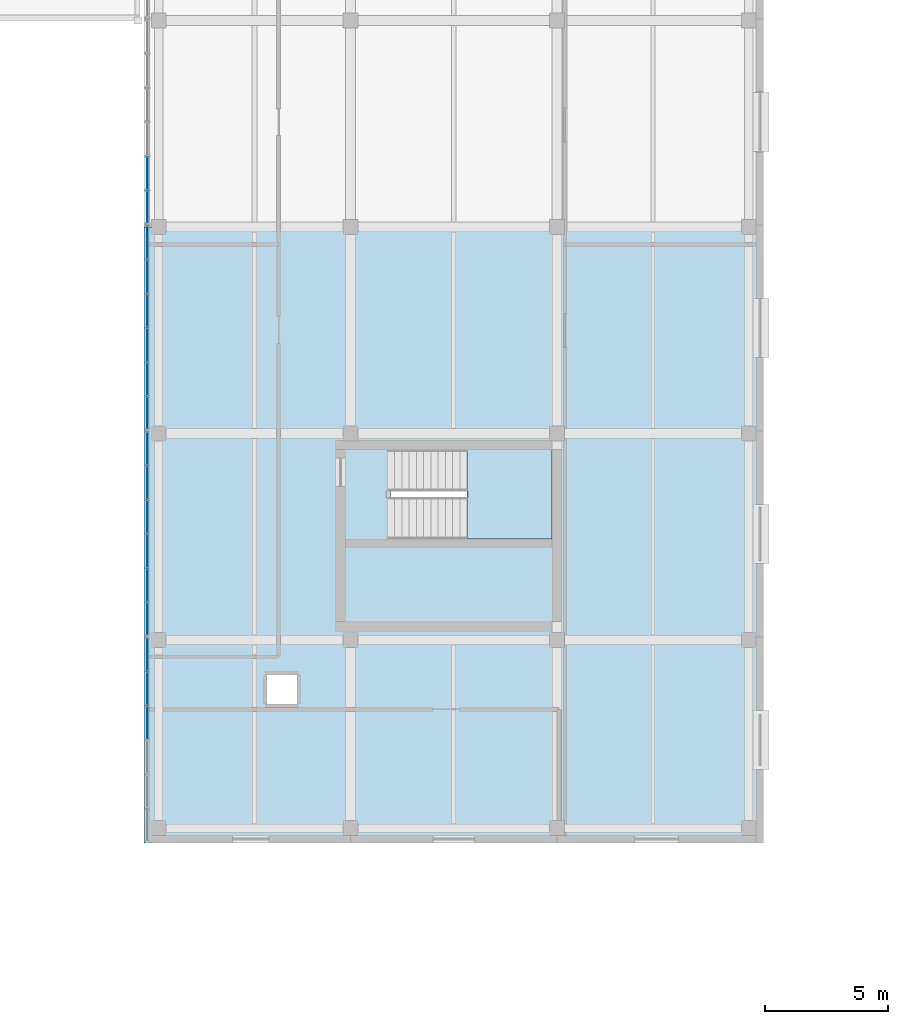
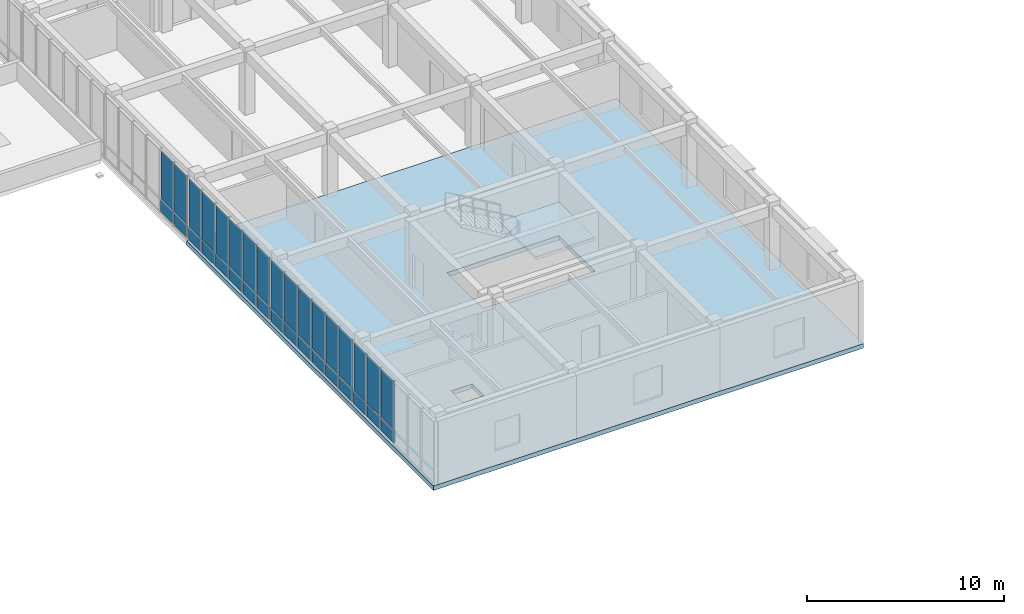
# One storey, part 88 of 123: 34 plates, 2 slabs, 5 elements without a shape of their own.
"""IFC4 building model written with IfcOpenShell, lengths in metres."""

from ifc_helpers import new_model, si_unit, direction, frame, origin, origin_2d, place, context, subcontext, project, spatial, polyline, rectangle, outline, extrude, material, layer, layer_set, type_object, element, aggregate, save


model = new_model("IFC4")

# Units and contexts
model_context = context("Model", 3, precision=1e-05, world=origin(), true_north=direction((0.0, 1.0)))
body_context = subcontext(model_context, "Body", "Model", "MODEL_VIEW")
ifc_project = project(units=[si_unit("LENGTHUNIT", "METRE"), si_unit("AREAUNIT", "SQUARE_METRE"), si_unit("VOLUMEUNIT", "CUBIC_METRE"), si_unit("PLANEANGLEUNIT", "RADIAN"), si_unit("MASSUNIT", "GRAM", prefix="KILO")], contexts=[model_context])

# Site, building, storey
site_placement = place(None, origin())
site = spatial("IfcSite", under=ifc_project, at=site_placement, CompositionType="ELEMENT")
building_placement = place(site_placement, origin())
building = spatial("IfcBuilding", under=site, at=building_placement, Name="Zayran Congress Hotel", CompositionType="ELEMENT")
storey_placement = place(building_placement, frame((0.0, 0.0, 15.0)))
storey = spatial("IfcBuildingStorey", under=building, at=storey_placement, Name="L03", CompositionType="ELEMENT", Elevation=15.0)

# Slab
ifc_material_1 = material(Name="Concrete C32/40", Category="concrete")
ifc_layer_1 = layer(ifc_material_1, 0.280029296875)
ifc_layer_set_1 = layer_set([ifc_layer_1], Name="Concrete C32/40")
slab_type_1 = type_object("IfcSlabType", Name="SL-FL-280", PredefinedType="FLOOR", material=ifc_layer_set_1)
slab_1_placement = place(storey_placement, frame((0.0, 0.0, -0.280029296875)))
element("IfcSlab", 1, at=slab_1_placement, inside=storey, type_object=slab_type_1, Name="SLB-V4-L03-024", PredefinedType="FLOOR", context=body_context, shape_type="SweptSolid", body=[
    extrude(outline(polyline([(109.199951171875, 42.550048828125), (134.39990234375, 42.550048828125), (134.39990234375, 67.60009765625), (109.199951171875, 67.60009765625), (109.199951171875, 42.550048828125)]), holes=[polyline([(119.239990234375, 54.909912109375), (125.800048828125, 54.909912109375), (125.800048828125, 58.550048828125), (119.239990234375, 58.550048828125), (119.239990234375, 54.909912109375)]), polyline([(114.199951171875, 48.199951171875), (115.419921875, 48.199951171875), (115.419921875, 49.3798828125), (114.199951171875, 49.3798828125), (114.199951171875, 48.199951171875)])]), origin(), (0.0, 0.0, 1.0), 0.280029296875),
])

# Curtain wall, plates
ifc_material_2 = material(Name="Anodised aluminium and low-E insulated glass", Category="aluminium")
ifc_layer_2 = layer(ifc_material_2, 0.179931640625)
ifc_layer_set_2 = layer_set([ifc_layer_2], Name="Anodised aluminium and low-E insulated glass")
curtain_wall_type_1 = type_object("IfcCurtainWallType", Name="CW-V4W-L03-CW-51-8374-3920", PredefinedType="USERDEFINED", material=ifc_layer_set_2)
curtain_wall_1_placement = place(storey_placement, origin())
curtain_wall_1 = element("IfcCurtainWall", 2, at=curtain_wall_1_placement, inside=storey, type_object=curtain_wall_type_1, Name="CW-V4W-L03-0", ObjectType="CURTAIN WALL", PredefinedType="USERDEFINED")
ifc_material_3 = material(Name="Insulated warm bronze aluminium spandrel panel", Category="aluminium")
ifc_layer_3 = layer(ifc_material_3, 0.06005859375)
ifc_layer_set_3 = layer_set([ifc_layer_3], Name="Insulated warm bronze aluminium spandrel panel")
plate_type_1 = type_object("IfcPlateType", Name="CWP-SP-1276-750", PredefinedType="CURTAIN_PANEL", material=ifc_layer_set_3)
plate_1_placement = place(storey_placement, frame((109.35009765625, 50.206298828125, 0.06005859375), z_axis=(0.0, 0.0, 1.0), x_axis=(0.0, 1.0, 0.0)))
plate_1 = element("IfcPlate", 3, at=plate_1_placement, type_object=plate_type_1, Name="CW-51 Spandrel Panel 1", PredefinedType="CURTAIN_PANEL", context=body_context, shape_type="SweptSolid", body=[
    extrude(rectangle(XDim=1.275634765625, YDim=0.06005859375, at=origin_2d()), origin(), (0.0, 0.0, 1.0), 0.75),
])
plate_2_placement = place(storey_placement, frame((109.35009765625, 48.83056640625, 0.06005859375), z_axis=(0.0, 0.0, 1.0), x_axis=(0.0, 1.0, 0.0)))
plate_2 = element("IfcPlate", 4, at=plate_2_placement, type_object=plate_type_1, Name="CW-51 Spandrel Panel 2", PredefinedType="CURTAIN_PANEL", context=body_context, shape_type="SweptSolid", body=[
    extrude(rectangle(XDim=1.315673828125, YDim=0.06005859375, at=origin_2d()), origin(), (0.0, 0.0, 1.0), 0.75),
])
plate_3_placement = place(storey_placement, frame((109.35009765625, 47.434814453125, 0.06005859375), z_axis=(0.0, 0.0, 1.0), x_axis=(0.0, 1.0, 0.0)))
plate_3 = element("IfcPlate", 5, at=plate_3_placement, type_object=plate_type_1, Name="CW-51 Spandrel Panel 3", PredefinedType="CURTAIN_PANEL", context=body_context, shape_type="SweptSolid", body=[
    extrude(rectangle(XDim=1.315673828125, YDim=0.06005859375, at=origin_2d()), origin(), (0.0, 0.0, 1.0), 0.75),
])

ifc_layer_4 = layer(ifc_material_2, 0.179931640625)
ifc_layer_set_4 = layer_set([ifc_layer_4], Name="Anodised aluminium and low-E insulated glass")
curtain_wall_type_2 = type_object("IfcCurtainWallType", Name="CW-V4W-L03-CW-52-8368-3920", PredefinedType="USERDEFINED", material=ifc_layer_set_4)
curtain_wall_2_placement = place(storey_placement, origin())
curtain_wall_2 = element("IfcCurtainWall", 6, at=curtain_wall_2_placement, inside=storey, type_object=curtain_wall_type_2, Name="CW-V4W-L03-1", ObjectType="CURTAIN WALL", PredefinedType="USERDEFINED")
ifc_layer_5 = layer(ifc_material_3, 0.06005859375)
ifc_layer_set_5 = layer_set([ifc_layer_5], Name="Insulated warm bronze aluminium spandrel panel")
plate_type_2 = type_object("IfcPlateType", Name="CWP-SP-1275-750", PredefinedType="CURTAIN_PANEL", material=ifc_layer_set_5)
plate_4_placement = place(storey_placement, frame((109.35009765625, 58.584716796875, 0.06005859375), z_axis=(0.0, 0.0, 1.0), x_axis=(0.0, 1.0, 0.0)))
plate_4 = element("IfcPlate", 7, at=plate_4_placement, type_object=plate_type_2, Name="CW-52 Spandrel Panel 1", PredefinedType="CURTAIN_PANEL", context=body_context, shape_type="SweptSolid", body=[
    extrude(rectangle(XDim=1.274658203125, YDim=0.06005859375, at=origin_2d()), origin(), (0.0, 0.0, 1.0), 0.75),
])
plate_5_placement = place(storey_placement, frame((109.35009765625, 57.2099609375, 0.06005859375), z_axis=(0.0, 0.0, 1.0), x_axis=(0.0, 1.0, 0.0)))
plate_5 = element("IfcPlate", 8, at=plate_5_placement, type_object=plate_type_2, Name="CW-52 Spandrel Panel 2", PredefinedType="CURTAIN_PANEL", context=body_context, shape_type="SweptSolid", body=[
    extrude(rectangle(XDim=1.314697265625, YDim=0.06005859375, at=origin_2d()), origin(), (0.0, 0.0, 1.0), 0.75),
])
plate_6_placement = place(storey_placement, frame((109.35009765625, 55.815185546875, 0.06005859375), z_axis=(0.0, 0.0, 1.0), x_axis=(0.0, 1.0, 0.0)))
plate_6 = element("IfcPlate", 9, at=plate_6_placement, type_object=plate_type_2, Name="CW-52 Spandrel Panel 3", PredefinedType="CURTAIN_PANEL", context=body_context, shape_type="SweptSolid", body=[
    extrude(rectangle(XDim=1.314697265625, YDim=0.06005859375, at=origin_2d()), origin(), (0.0, 0.0, 1.0), 0.75),
])
plate_7_placement = place(storey_placement, frame((109.35009765625, 54.420654296875, 0.06005859375), z_axis=(0.0, 0.0, 1.0), x_axis=(0.0, 1.0, 0.0)))
plate_7 = element("IfcPlate", 10, at=plate_7_placement, type_object=plate_type_2, Name="CW-52 Spandrel Panel 4", PredefinedType="CURTAIN_PANEL", context=body_context, shape_type="SweptSolid", body=[
    extrude(rectangle(XDim=1.314697265625, YDim=0.06005859375, at=origin_2d()), origin(), (0.0, 0.0, 1.0), 0.75),
])
plate_8_placement = place(storey_placement, frame((109.35009765625, 53.02587890625, 0.06005859375), z_axis=(0.0, 0.0, 1.0), x_axis=(0.0, 1.0, 0.0)))
plate_8 = element("IfcPlate", 11, at=plate_8_placement, type_object=plate_type_2, Name="CW-52 Spandrel Panel 5", PredefinedType="CURTAIN_PANEL", context=body_context, shape_type="SweptSolid", body=[
    extrude(rectangle(XDim=1.314697265625, YDim=0.06005859375, at=origin_2d()), origin(), (0.0, 0.0, 1.0), 0.75),
])
plate_9_placement = place(storey_placement, frame((109.35009765625, 51.6513671875, 0.06005859375), z_axis=(0.0, 0.0, 1.0), x_axis=(0.0, 1.0, 0.0)))
plate_9 = element("IfcPlate", 12, at=plate_9_placement, type_object=plate_type_2, Name="CW-52 Spandrel Panel 6", PredefinedType="CURTAIN_PANEL", context=body_context, shape_type="SweptSolid", body=[
    extrude(rectangle(XDim=1.274658203125, YDim=0.06005859375, at=origin_2d()), origin(), (0.0, 0.0, 1.0), 0.75),
])

ifc_layer_6 = layer(ifc_material_2, 0.179931640625)
ifc_layer_set_6 = layer_set([ifc_layer_6], Name="Anodised aluminium and low-E insulated glass")
curtain_wall_type_3 = type_object("IfcCurtainWallType", Name="CW-V4W-L03-CW-53-8369-3920", PredefinedType="USERDEFINED", material=ifc_layer_set_6)
curtain_wall_3_placement = place(storey_placement, origin())
curtain_wall_3 = element("IfcCurtainWall", 13, at=curtain_wall_3_placement, inside=storey, type_object=curtain_wall_type_3, Name="CW-V4W-L03-2", ObjectType="CURTAIN WALL", PredefinedType="USERDEFINED")
plate_10_placement = place(storey_placement, frame((109.35009765625, 66.963623046875, 0.06005859375), z_axis=(0.0, 0.0, 1.0), x_axis=(0.0, 1.0, 0.0)))
plate_10 = element("IfcPlate", 14, at=plate_10_placement, type_object=plate_type_2, Name="CW-53 Spandrel Panel 1", PredefinedType="CURTAIN_PANEL", context=body_context, shape_type="SweptSolid", body=[
    extrude(rectangle(XDim=1.27490234375, YDim=0.06005859375, at=origin_2d()), origin(), (0.0, 0.0, 1.0), 0.75),
])
plate_11_placement = place(storey_placement, frame((109.35009765625, 65.5888671875, 0.06005859375), z_axis=(0.0, 0.0, 1.0), x_axis=(0.0, 1.0, 0.0)))
plate_11 = element("IfcPlate", 15, at=plate_11_placement, type_object=plate_type_2, Name="CW-53 Spandrel Panel 2", PredefinedType="CURTAIN_PANEL", context=body_context, shape_type="SweptSolid", body=[
    extrude(rectangle(XDim=1.314697265625, YDim=0.06005859375, at=origin_2d()), origin(), (0.0, 0.0, 1.0), 0.75),
])
plate_12_placement = place(storey_placement, frame((109.35009765625, 64.19384765625, 0.06005859375), z_axis=(0.0, 0.0, 1.0), x_axis=(0.0, 1.0, 0.0)))
plate_12 = element("IfcPlate", 16, at=plate_12_placement, type_object=plate_type_2, Name="CW-53 Spandrel Panel 3", PredefinedType="CURTAIN_PANEL", context=body_context, shape_type="SweptSolid", body=[
    extrude(rectangle(XDim=1.314697265625, YDim=0.06005859375, at=origin_2d()), origin(), (0.0, 0.0, 1.0), 0.75),
])
plate_13_placement = place(storey_placement, frame((109.35009765625, 62.799072265625, 0.06005859375), z_axis=(0.0, 0.0, 1.0), x_axis=(0.0, 1.0, 0.0)))
plate_13 = element("IfcPlate", 17, at=plate_13_placement, type_object=plate_type_2, Name="CW-53 Spandrel Panel 4", PredefinedType="CURTAIN_PANEL", context=body_context, shape_type="SweptSolid", body=[
    extrude(rectangle(XDim=1.314697265625, YDim=0.06005859375, at=origin_2d()), origin(), (0.0, 0.0, 1.0), 0.75),
])
plate_14_placement = place(storey_placement, frame((109.35009765625, 61.404296875, 0.06005859375), z_axis=(0.0, 0.0, 1.0), x_axis=(0.0, 1.0, 0.0)))
plate_14 = element("IfcPlate", 18, at=plate_14_placement, type_object=plate_type_2, Name="CW-53 Spandrel Panel 5", PredefinedType="CURTAIN_PANEL", context=body_context, shape_type="SweptSolid", body=[
    extrude(rectangle(XDim=1.314697265625, YDim=0.06005859375, at=origin_2d()), origin(), (0.0, 0.0, 1.0), 0.75),
])
plate_15_placement = place(storey_placement, frame((109.35009765625, 60.029296875, 0.06005859375), z_axis=(0.0, 0.0, 1.0), x_axis=(0.0, 1.0, 0.0)))
plate_15 = element("IfcPlate", 19, at=plate_15_placement, type_object=plate_type_2, Name="CW-53 Spandrel Panel 6", PredefinedType="CURTAIN_PANEL", context=body_context, shape_type="SweptSolid", body=[
    extrude(rectangle(XDim=1.27490234375, YDim=0.06005859375, at=origin_2d()), origin(), (0.0, 0.0, 1.0), 0.75),
])

ifc_layer_7 = layer(ifc_material_2, 0.179931640625)
ifc_layer_set_7 = layer_set([ifc_layer_7], Name="Anodised aluminium and low-E insulated glass")
curtain_wall_type_4 = type_object("IfcCurtainWallType", Name="CW-V4W-L03-CW-51-8368-3920", PredefinedType="USERDEFINED", material=ifc_layer_set_7)
curtain_wall_4_placement = place(storey_placement, origin())
curtain_wall_4 = element("IfcCurtainWall", 20, at=curtain_wall_4_placement, inside=storey, type_object=curtain_wall_type_4, Name="CW-V4W-L03-3", ObjectType="CURTAIN WALL", PredefinedType="USERDEFINED")
plate_16_placement = place(storey_placement, frame((109.35009765625, 69.782958984375, 0.06005859375), z_axis=(0.0, 0.0, 1.0), x_axis=(0.0, 1.0, 0.0)))
plate_16 = element("IfcPlate", 21, at=plate_16_placement, type_object=plate_type_2, Name="CW-51 Spandrel Panel 5", PredefinedType="CURTAIN_PANEL", context=body_context, shape_type="SweptSolid", body=[
    extrude(rectangle(XDim=1.314697265625, YDim=0.06005859375, at=origin_2d()), origin(), (0.0, 0.0, 1.0), 0.75),
])
plate_17_placement = place(storey_placement, frame((109.35009765625, 68.408203125, 0.06005859375), z_axis=(0.0, 0.0, 1.0), x_axis=(0.0, 1.0, 0.0)))
plate_17 = element("IfcPlate", 22, at=plate_17_placement, type_object=plate_type_2, Name="CW-51 Spandrel Panel 6", PredefinedType="CURTAIN_PANEL", context=body_context, shape_type="SweptSolid", body=[
    extrude(rectangle(XDim=1.274658203125, YDim=0.06005859375, at=origin_2d()), origin(), (0.0, 0.0, 1.0), 0.75),
])

# Plate
ifc_layer_8 = layer(ifc_material_2, 0.028076171875)
ifc_layer_set_8 = layer_set([ifc_layer_8], Name="Anodised aluminium and low-E insulated glass")
plate_type_3 = type_object("IfcPlateType", Name="CWP-GL-1276-2990", PredefinedType="CURTAIN_PANEL", material=ifc_layer_set_8)
plate_18_placement = place(storey_placement, frame((109.35009765625, 50.206298828125, 0.8701171875), z_axis=(0.0, 0.0, 1.0), x_axis=(0.0, 1.0, 0.0)))
plate_18 = element("IfcPlate", 23, at=plate_18_placement, type_object=plate_type_3, Name="CW-51 Glazed Panel 1", PredefinedType="CURTAIN_PANEL", context=body_context, shape_type="SweptSolid", body=[
    extrude(rectangle(XDim=1.275634765625, YDim=0.028076171875, at=origin_2d()), origin(), (0.0, 0.0, 1.0), 2.989990234375),
])

plate_19_placement = place(storey_placement, frame((109.35009765625, 48.83056640625, 0.8701171875), z_axis=(0.0, 0.0, 1.0), x_axis=(0.0, 1.0, 0.0)))
plate_19 = element("IfcPlate", 24, at=plate_19_placement, type_object=plate_type_3, Name="CW-51 Glazed Panel 2", PredefinedType="CURTAIN_PANEL", context=body_context, shape_type="SweptSolid", body=[
    extrude(rectangle(XDim=1.315673828125, YDim=0.028076171875, at=origin_2d()), origin(), (0.0, 0.0, 1.0), 2.989990234375),
])

plate_20_placement = place(storey_placement, frame((109.35009765625, 47.434814453125, 0.8701171875), z_axis=(0.0, 0.0, 1.0), x_axis=(0.0, 1.0, 0.0)))
plate_20 = element("IfcPlate", 25, at=plate_20_placement, type_object=plate_type_3, Name="CW-51 Glazed Panel 3", PredefinedType="CURTAIN_PANEL", context=body_context, shape_type="SweptSolid", body=[
    extrude(rectangle(XDim=1.315673828125, YDim=0.028076171875, at=origin_2d()), origin(), (0.0, 0.0, 1.0), 2.989990234375),
])

aggregate(curtain_wall_1, [plate_1, plate_18, plate_2, plate_19, plate_3, plate_20])

ifc_layer_9 = layer(ifc_material_2, 0.028076171875)
ifc_layer_set_9 = layer_set([ifc_layer_9], Name="Anodised aluminium and low-E insulated glass")
plate_type_4 = type_object("IfcPlateType", Name="CWP-GL-1275-2990", PredefinedType="CURTAIN_PANEL", material=ifc_layer_set_9)
plate_21_placement = place(storey_placement, frame((109.35009765625, 58.584716796875, 0.8701171875), z_axis=(0.0, 0.0, 1.0), x_axis=(0.0, 1.0, 0.0)))
plate_21 = element("IfcPlate", 26, at=plate_21_placement, type_object=plate_type_4, Name="CW-52 Glazed Panel 1", PredefinedType="CURTAIN_PANEL", context=body_context, shape_type="SweptSolid", body=[
    extrude(rectangle(XDim=1.274658203125, YDim=0.028076171875, at=origin_2d()), origin(), (0.0, 0.0, 1.0), 2.989990234375),
])

plate_22_placement = place(storey_placement, frame((109.35009765625, 57.2099609375, 0.8701171875), z_axis=(0.0, 0.0, 1.0), x_axis=(0.0, 1.0, 0.0)))
plate_22 = element("IfcPlate", 27, at=plate_22_placement, type_object=plate_type_4, Name="CW-52 Glazed Panel 2", PredefinedType="CURTAIN_PANEL", context=body_context, shape_type="SweptSolid", body=[
    extrude(rectangle(XDim=1.314697265625, YDim=0.028076171875, at=origin_2d()), origin(), (0.0, 0.0, 1.0), 2.989990234375),
])

plate_23_placement = place(storey_placement, frame((109.35009765625, 55.815185546875, 0.8701171875), z_axis=(0.0, 0.0, 1.0), x_axis=(0.0, 1.0, 0.0)))
plate_23 = element("IfcPlate", 28, at=plate_23_placement, type_object=plate_type_4, Name="CW-52 Glazed Panel 3", PredefinedType="CURTAIN_PANEL", context=body_context, shape_type="SweptSolid", body=[
    extrude(rectangle(XDim=1.314697265625, YDim=0.028076171875, at=origin_2d()), origin(), (0.0, 0.0, 1.0), 2.989990234375),
])

plate_24_placement = place(storey_placement, frame((109.35009765625, 54.420654296875, 0.8701171875), z_axis=(0.0, 0.0, 1.0), x_axis=(0.0, 1.0, 0.0)))
plate_24 = element("IfcPlate", 29, at=plate_24_placement, type_object=plate_type_4, Name="CW-52 Glazed Panel 4", PredefinedType="CURTAIN_PANEL", context=body_context, shape_type="SweptSolid", body=[
    extrude(rectangle(XDim=1.314697265625, YDim=0.028076171875, at=origin_2d()), origin(), (0.0, 0.0, 1.0), 2.989990234375),
])

plate_25_placement = place(storey_placement, frame((109.35009765625, 53.02587890625, 0.8701171875), z_axis=(0.0, 0.0, 1.0), x_axis=(0.0, 1.0, 0.0)))
plate_25 = element("IfcPlate", 30, at=plate_25_placement, type_object=plate_type_4, Name="CW-52 Glazed Panel 5", PredefinedType="CURTAIN_PANEL", context=body_context, shape_type="SweptSolid", body=[
    extrude(rectangle(XDim=1.314697265625, YDim=0.028076171875, at=origin_2d()), origin(), (0.0, 0.0, 1.0), 2.989990234375),
])

plate_26_placement = place(storey_placement, frame((109.35009765625, 51.6513671875, 0.8701171875), z_axis=(0.0, 0.0, 1.0), x_axis=(0.0, 1.0, 0.0)))
plate_26 = element("IfcPlate", 31, at=plate_26_placement, type_object=plate_type_4, Name="CW-52 Glazed Panel 6", PredefinedType="CURTAIN_PANEL", context=body_context, shape_type="SweptSolid", body=[
    extrude(rectangle(XDim=1.274658203125, YDim=0.028076171875, at=origin_2d()), origin(), (0.0, 0.0, 1.0), 2.989990234375),
])

aggregate(curtain_wall_2, [plate_4, plate_21, plate_5, plate_22, plate_6, plate_23, plate_7, plate_24, plate_8, plate_25, plate_9, plate_26])

plate_27_placement = place(storey_placement, frame((109.35009765625, 66.963623046875, 0.8701171875), z_axis=(0.0, 0.0, 1.0), x_axis=(0.0, 1.0, 0.0)))
plate_27 = element("IfcPlate", 32, at=plate_27_placement, type_object=plate_type_4, Name="CW-53 Glazed Panel 1", PredefinedType="CURTAIN_PANEL", context=body_context, shape_type="SweptSolid", body=[
    extrude(rectangle(XDim=1.27490234375, YDim=0.028076171875, at=origin_2d()), origin(), (0.0, 0.0, 1.0), 2.989990234375),
])

plate_28_placement = place(storey_placement, frame((109.35009765625, 65.5888671875, 0.8701171875), z_axis=(0.0, 0.0, 1.0), x_axis=(0.0, 1.0, 0.0)))
plate_28 = element("IfcPlate", 33, at=plate_28_placement, type_object=plate_type_4, Name="CW-53 Glazed Panel 2", PredefinedType="CURTAIN_PANEL", context=body_context, shape_type="SweptSolid", body=[
    extrude(rectangle(XDim=1.314697265625, YDim=0.028076171875, at=origin_2d()), origin(), (0.0, 0.0, 1.0), 2.989990234375),
])

plate_29_placement = place(storey_placement, frame((109.35009765625, 64.19384765625, 0.8701171875), z_axis=(0.0, 0.0, 1.0), x_axis=(0.0, 1.0, 0.0)))
plate_29 = element("IfcPlate", 34, at=plate_29_placement, type_object=plate_type_4, Name="CW-53 Glazed Panel 3", PredefinedType="CURTAIN_PANEL", context=body_context, shape_type="SweptSolid", body=[
    extrude(rectangle(XDim=1.314697265625, YDim=0.028076171875, at=origin_2d()), origin(), (0.0, 0.0, 1.0), 2.989990234375),
])

plate_30_placement = place(storey_placement, frame((109.35009765625, 62.799072265625, 0.8701171875), z_axis=(0.0, 0.0, 1.0), x_axis=(0.0, 1.0, 0.0)))
plate_30 = element("IfcPlate", 35, at=plate_30_placement, type_object=plate_type_4, Name="CW-53 Glazed Panel 4", PredefinedType="CURTAIN_PANEL", context=body_context, shape_type="SweptSolid", body=[
    extrude(rectangle(XDim=1.314697265625, YDim=0.028076171875, at=origin_2d()), origin(), (0.0, 0.0, 1.0), 2.989990234375),
])

plate_31_placement = place(storey_placement, frame((109.35009765625, 61.404296875, 0.8701171875), z_axis=(0.0, 0.0, 1.0), x_axis=(0.0, 1.0, 0.0)))
plate_31 = element("IfcPlate", 36, at=plate_31_placement, type_object=plate_type_4, Name="CW-53 Glazed Panel 5", PredefinedType="CURTAIN_PANEL", context=body_context, shape_type="SweptSolid", body=[
    extrude(rectangle(XDim=1.314697265625, YDim=0.028076171875, at=origin_2d()), origin(), (0.0, 0.0, 1.0), 2.989990234375),
])

plate_32_placement = place(storey_placement, frame((109.35009765625, 60.029296875, 0.8701171875), z_axis=(0.0, 0.0, 1.0), x_axis=(0.0, 1.0, 0.0)))
plate_32 = element("IfcPlate", 37, at=plate_32_placement, type_object=plate_type_4, Name="CW-53 Glazed Panel 6", PredefinedType="CURTAIN_PANEL", context=body_context, shape_type="SweptSolid", body=[
    extrude(rectangle(XDim=1.27490234375, YDim=0.028076171875, at=origin_2d()), origin(), (0.0, 0.0, 1.0), 2.989990234375),
])

aggregate(curtain_wall_3, [plate_10, plate_27, plate_11, plate_28, plate_12, plate_29, plate_13, plate_30, plate_14, plate_31, plate_15, plate_32])

plate_33_placement = place(storey_placement, frame((109.35009765625, 69.782958984375, 0.8701171875), z_axis=(0.0, 0.0, 1.0), x_axis=(0.0, 1.0, 0.0)))
plate_33 = element("IfcPlate", 38, at=plate_33_placement, type_object=plate_type_4, Name="CW-51 Glazed Panel 5", PredefinedType="CURTAIN_PANEL", context=body_context, shape_type="SweptSolid", body=[
    extrude(rectangle(XDim=1.314697265625, YDim=0.028076171875, at=origin_2d()), origin(), (0.0, 0.0, 1.0), 2.989990234375),
])

plate_34_placement = place(storey_placement, frame((109.35009765625, 68.408203125, 0.8701171875), z_axis=(0.0, 0.0, 1.0), x_axis=(0.0, 1.0, 0.0)))
plate_34 = element("IfcPlate", 39, at=plate_34_placement, type_object=plate_type_4, Name="CW-51 Glazed Panel 6", PredefinedType="CURTAIN_PANEL", context=body_context, shape_type="SweptSolid", body=[
    extrude(rectangle(XDim=1.274658203125, YDim=0.028076171875, at=origin_2d()), origin(), (0.0, 0.0, 1.0), 2.989990234375),
])

aggregate(curtain_wall_4, [plate_16, plate_33, plate_17, plate_34])

# Stair, slab
stair_type = type_object("IfcStairType", Name="TP-STR-1700-42", PredefinedType="USERDEFINED", material=ifc_material_1)
stair_placement = place(storey_placement, origin())
stair = element("IfcStair", 40, at=stair_placement, inside=storey, type_object=stair_type, Name="L03 ST-08", ObjectType="TWO_RETURN_STAIR", PredefinedType="USERDEFINED")
ifc_layer_10 = layer(ifc_material_1, 0.199951171875)
ifc_layer_set_10 = layer_set([ifc_layer_10], Name="Concrete C32/40")
slab_type_2 = type_object("IfcSlabType", Name="TP-LND-1700", PredefinedType="LANDING", material=ifc_layer_set_10)
slab_2_placement = place(storey_placement, frame((0.0, 0.0, 1.89990234375)))
slab_2 = element("IfcSlab", 41, at=slab_2_placement, type_object=slab_type_2, Name="ST-08 landing 1", PredefinedType="LANDING", context=body_context, shape_type="SweptSolid", body=[
    extrude(outline(polyline([(122.344970703125, 54.909912109375), (125.800048828125, 54.909912109375), (125.800048828125, 58.550048828125), (122.344970703125, 58.550048828125), (122.344970703125, 54.909912109375)])), origin(), (0.0, 0.0, 1.0), 0.2001953125),
])
aggregate(stair, [slab_2])

save(model, "model.ifc")
